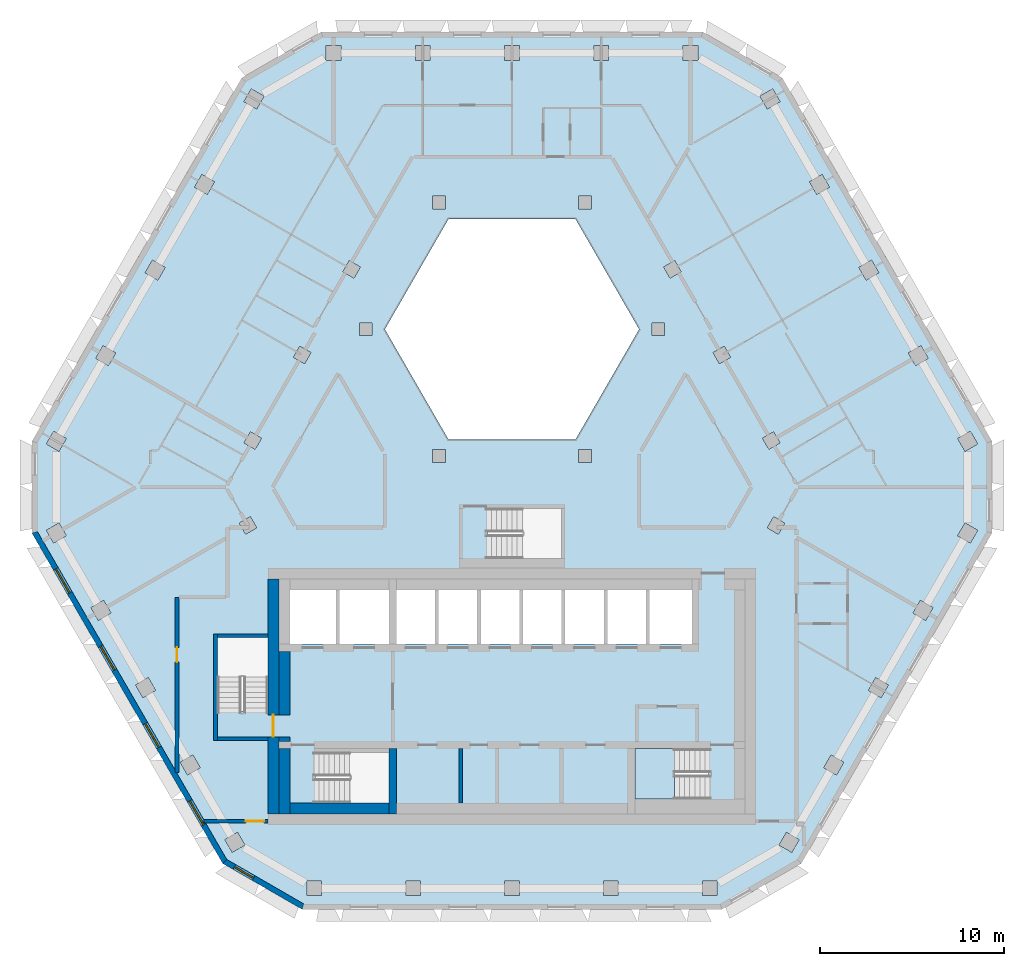
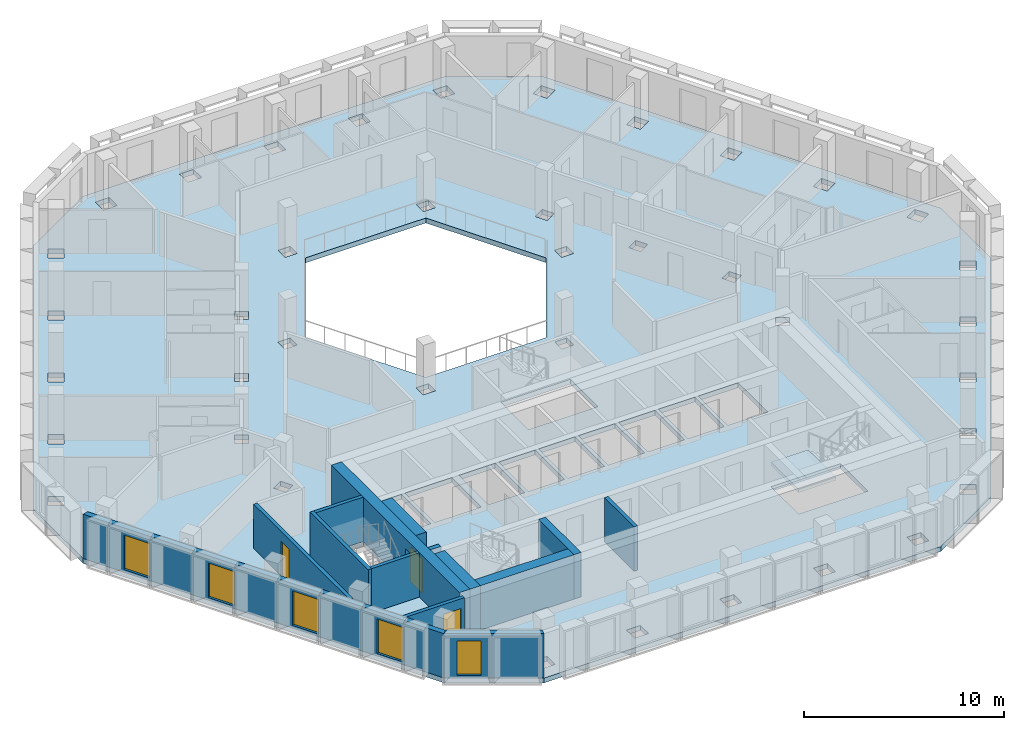
# One storey, part 2 of 15: 14 walls, 5 windows, 3 doors, 2 slabs, 8 openings, 1 element without a shape of its own.
"""IFC4 building model written with IfcOpenShell, lengths in metres."""

from ifc_helpers import new_model, si_unit, direction, frame, frame_2d, origin, place, context, subcontext, project, spatial, polyline, rectangle, outline, extrude, material, layer, layer_set, type_object, element, fill, aggregate, save


model = new_model("IFC4")

# Units and contexts
model_context = context("Model", 3, precision=1e-05, world=origin(), true_north=direction((0.0, 1.0)))
body_context = subcontext(model_context, "Body", "Model", "MODEL_VIEW")
ifc_project = project(units=[si_unit("LENGTHUNIT", "METRE"), si_unit("AREAUNIT", "SQUARE_METRE"), si_unit("VOLUMEUNIT", "CUBIC_METRE"), si_unit("PLANEANGLEUNIT", "RADIAN"), si_unit("MASSUNIT", "GRAM", prefix="KILO")], contexts=[model_context])

# Site, building, storey
site_placement = place(None, origin())
site = spatial("IfcSite", under=ifc_project, at=site_placement, CompositionType="ELEMENT")
building_placement = place(site_placement, origin())
building = spatial("IfcBuilding", under=site, at=building_placement, Name="Beryl Residences", CompositionType="ELEMENT")
storey_placement = place(building_placement, frame((0.0, 0.0, 193.199951171875)))
storey = spatial("IfcBuildingStorey", under=building, at=storey_placement, Name="L59", CompositionType="ELEMENT", Elevation=193.199951171875)

# Slab
ifc_material_1 = material(Name="Concrete C40/50", Category="concrete")
ifc_layer_1 = layer(ifc_material_1, 0.300048828125)
ifc_layer_set_1 = layer_set([ifc_layer_1], Name="SL7 PT floor slab 300 mm C40/50")
slab_type_1 = type_object("IfcSlabType", Name="SL7 PT floor slab 300 mm C40/50", PredefinedType="FLOOR", material=ifc_layer_set_1)
slab_1_placement = place(storey_placement, frame((0.0, 0.0, -0.300048828125)))
element("IfcSlab", 1, at=slab_1_placement, inside=storey, type_object=slab_type_1, Name="L59 slab 1", PredefinedType="FLOOR", context=body_context, shape_type="SweptSolid", body=[
    extrude(outline(polyline([(26.154052734375, -3.10009765625), (15.760986328125, -21.10009765625), (11.430908203125, -23.60009765625), (-11.430908203125, -23.60009765625), (-15.760986328125, -21.10009765625), (-26.154052734375, -3.10009765625), (-26.154052734375, 1.89990234375), (-14.721923828125, 21.699951171875), (-10.39208984375, 24.199951171875), (10.39208984375, 24.199951171875), (14.721923828125, 21.699951171875), (26.154052734375, 1.89990234375), (26.154052734375, -3.10009765625)]), holes=[polyline([(24.971923828125, 2.446044921875), (24.280029296875, 2.0458984375), (24.679931640625, 1.35400390625), (25.3720703125, 1.75390625), (24.971923828125, 2.446044921875)]), polyline([(24.678955078125, -2.554931640625), (24.279052734375, -3.2470703125), (24.970947265625, -3.64697265625), (25.37109375, -2.955078125), (24.678955078125, -2.554931640625)]), polyline([(22.2470703125, -6.76806640625), (21.846923828125, -7.4599609375), (22.5390625, -7.860107421875), (22.93896484375, -7.16796875), (22.2470703125, -6.76806640625)]), polyline([(22.280029296875, 7.10791015625), (21.587890625, 6.7080078125), (21.988037109375, 6.01611328125), (22.679931640625, 6.416015625), (22.280029296875, 7.10791015625)]), polyline([(19.4150390625, -11.672119140625), (20.10693359375, -12.072021484375), (20.507080078125, -11.3798828125), (19.81494140625, -10.97998046875), (19.4150390625, -11.672119140625)]), polyline([(18.89599609375, 11.37109375), (19.2958984375, 10.678955078125), (19.988037109375, 11.0791015625), (19.587890625, 11.77099609375), (18.89599609375, 11.37109375)]), polyline([(18.074951171875, -15.592041015625), (17.383056640625, -15.19189453125), (16.98291015625, -15.884033203125), (17.675048828125, -16.283935546875), (18.074951171875, -15.592041015625)]), polyline([(16.89599609375, 16.43408203125), (16.2041015625, 16.033935546875), (16.60400390625, 15.342041015625), (17.2958984375, 15.741943359375), (16.89599609375, 16.43408203125)]), polyline([(15.64306640625, -19.804931640625), (14.950927734375, -19.405029296875), (14.551025390625, -20.096923828125), (15.242919921875, -20.4970703125), (15.64306640625, -19.804931640625)]), polyline([(14.860107421875, -2.56103515625), (14.25390625, -2.2109375), (13.904052734375, -2.81689453125), (14.510009765625, -3.1669921875), (14.860107421875, -2.56103515625)]), polyline([(14.2041015625, 21.095947265625), (13.511962890625, 20.696044921875), (13.912109375, 20.00390625), (14.60400390625, 20.404052734375), (14.2041015625, 21.095947265625)]), polyline([(13.64501953125, 2.06494140625), (13.9951171875, 1.458984375), (14.60107421875, 1.80908203125), (14.2509765625, 2.4150390625), (13.64501953125, 2.06494140625)]), polyline([(11.55908203125, 7.077880859375), (10.952880859375, 6.72802734375), (11.302978515625, 6.1220703125), (11.908935546875, 6.471923828125), (11.55908203125, 7.077880859375)]), polyline([(11.1689453125, -22.050048828125), (10.368896484375, -22.050048828125), (10.368896484375, -22.85009765625), (11.1689453125, -22.85009765625), (11.1689453125, -22.050048828125)]), polyline([(6.699951171875, -14.85009765625), (6.699951171875, -17.60009765625), (10.699951171875, -17.60009765625), (10.699951171875, -14.85009765625), (6.699951171875, -14.85009765625)]), polyline([(9.327880859375, 23.449951171875), (9.327880859375, 22.64990234375), (10.1279296875, 22.64990234375), (10.1279296875, 23.449951171875), (9.327880859375, 23.449951171875)]), polyline([(7.5, -9.14990234375), (9.800048828125, -9.14990234375), (9.800048828125, -6.199951171875), (7.5, -6.199951171875), (7.5, -9.14990234375)]), polyline([(8.260986328125, 11.39111328125), (8.611083984375, 10.784912109375), (9.217041015625, 11.135009765625), (8.866943359375, 11.740966796875), (8.260986328125, 11.39111328125)]), polyline([(8.31689453125, 7.64990234375), (8.31689453125, 8.35009765625), (7.616943359375, 8.35009765625), (7.616943359375, 7.64990234375), (8.31689453125, 7.64990234375)]), polyline([(5.199951171875, -9.14990234375), (7.300048828125, -9.14990234375), (7.300048828125, -6.199951171875), (5.199951171875, -6.199951171875), (5.199951171875, -9.14990234375)]), polyline([(3.464111328125, 14.0), (-3.464111328125, 14.0), (-6.92822265625, 8.0), (-3.464111328125, 2.0), (3.464111328125, 2.0), (6.92822265625, 8.0), (3.464111328125, 14.0)]), polyline([(5.784912109375, -22.85009765625), (5.784912109375, -22.050048828125), (4.985107421875, -22.050048828125), (4.985107421875, -22.85009765625), (5.784912109375, -22.85009765625)]), polyline([(4.464111328125, 23.449951171875), (4.464111328125, 22.64990234375), (5.263916015625, 22.64990234375), (5.263916015625, 23.449951171875), (4.464111328125, 23.449951171875)]), polyline([(5.0, -9.14990234375), (5.0, -6.199951171875), (2.89990234375, -6.199951171875), (2.89990234375, -9.14990234375), (5.0, -9.14990234375)]), polyline([(4.333984375, 14.550048828125), (4.333984375, 15.25), (3.634033203125, 15.25), (3.634033203125, 14.550048828125), (4.333984375, 14.550048828125)]), polyline([(4.333984375, 1.449951171875), (3.634033203125, 1.449951171875), (3.634033203125, 0.75), (4.333984375, 0.75), (4.333984375, 1.449951171875)]), polyline([(2.699951171875, -4.5), (2.699951171875, -1.75), (-1.300048828125, -1.75), (-1.300048828125, -4.5), (2.699951171875, -4.5)]), polyline([(0.60009765625, -9.14990234375), (2.699951171875, -9.14990234375), (2.699951171875, -6.199951171875), (0.60009765625, -6.199951171875), (0.60009765625, -9.14990234375)]), polyline([(-0.39892578125, -22.050048828125), (-0.39892578125, -22.85009765625), (0.40087890625, -22.85009765625), (0.40087890625, -22.050048828125), (-0.39892578125, -22.050048828125)]), polyline([(0.39990234375, 22.64990234375), (0.39990234375, 23.449951171875), (-0.39990234375, 23.449951171875), (-0.39990234375, 22.64990234375), (0.39990234375, 22.64990234375)]), polyline([(0.39990234375, -6.199951171875), (-1.699951171875, -6.199951171875), (-1.699951171875, -9.14990234375), (0.39990234375, -9.14990234375), (0.39990234375, -6.199951171875)]), polyline([(-4.0, -9.14990234375), (-1.89990234375, -9.14990234375), (-1.89990234375, -6.199951171875), (-4.0, -6.199951171875), (-4.0, -9.14990234375)]), polyline([(-3.634033203125, 15.25), (-4.333984375, 15.25), (-4.333984375, 14.550048828125), (-3.634033203125, 14.550048828125), (-3.634033203125, 15.25)]), polyline([(-3.634033203125, 0.75), (-3.634033203125, 1.449951171875), (-4.333984375, 1.449951171875), (-4.333984375, 0.75), (-3.634033203125, 0.75)]), polyline([(-6.300048828125, -9.14990234375), (-4.199951171875, -9.14990234375), (-4.199951171875, -6.199951171875), (-6.300048828125, -6.199951171875), (-6.300048828125, -9.14990234375)]), polyline([(-5.263916015625, 23.449951171875), (-5.263916015625, 22.64990234375), (-4.464111328125, 22.64990234375), (-4.464111328125, 23.449951171875), (-5.263916015625, 23.449951171875)]), polyline([(-4.98291015625, -22.85009765625), (-4.98291015625, -22.050048828125), (-5.782958984375, -22.050048828125), (-5.782958984375, -22.85009765625), (-4.98291015625, -22.85009765625)]), polyline([(-6.699951171875, -6.199951171875), (-9.39990234375, -6.199951171875), (-9.39990234375, -9.14990234375), (-6.699951171875, -9.14990234375), (-6.699951171875, -6.199951171875)]), polyline([(-10.699951171875, -15.050048828125), (-10.699951171875, -17.800048828125), (-6.699951171875, -17.800048828125), (-6.699951171875, -15.050048828125), (-10.699951171875, -15.050048828125)]), polyline([(-7.616943359375, 7.64990234375), (-7.616943359375, 8.35009765625), (-8.31689453125, 8.35009765625), (-8.31689453125, 7.64990234375), (-7.616943359375, 7.64990234375)]), polyline([(-8.611083984375, 10.784912109375), (-8.260986328125, 11.39111328125), (-8.866943359375, 11.740966796875), (-9.217041015625, 11.135009765625), (-8.611083984375, 10.784912109375)]), polyline([(-10.1279296875, 23.449951171875), (-10.1279296875, 22.64990234375), (-9.327880859375, 22.64990234375), (-9.327880859375, 23.449951171875), (-10.1279296875, 23.449951171875)]), polyline([(-12.10009765625, -9.14990234375), (-9.60009765625, -9.14990234375), (-9.60009765625, -6.199951171875), (-12.10009765625, -6.199951171875), (-12.10009765625, -9.14990234375)]), polyline([(-11.1669921875, -22.050048828125), (-11.1669921875, -22.85009765625), (-10.366943359375, -22.85009765625), (-10.366943359375, -22.050048828125), (-11.1669921875, -22.050048828125)]), polyline([(-11.908935546875, 6.471923828125), (-11.302978515625, 6.1220703125), (-10.952880859375, 6.72802734375), (-11.55908203125, 7.077880859375), (-11.908935546875, 6.471923828125)]), polyline([(-13.300048828125, -8.800048828125), (-16.050048828125, -8.800048828125), (-16.050048828125, -12.800048828125), (-13.300048828125, -12.800048828125), (-13.300048828125, -8.800048828125)]), polyline([(-13.912109375, 20.00390625), (-13.511962890625, 20.696044921875), (-14.2041015625, 21.095947265625), (-14.60400390625, 20.404052734375), (-13.912109375, 20.00390625)]), polyline([(-13.9951171875, 1.458984375), (-13.64501953125, 2.06494140625), (-14.2509765625, 2.4150390625), (-14.60107421875, 1.80908203125), (-13.9951171875, 1.458984375)]), polyline([(-14.510986328125, -3.1650390625), (-13.905029296875, -2.81494140625), (-14.2548828125, -2.208984375), (-14.861083984375, -2.55908203125), (-14.510986328125, -3.1650390625)]), polyline([(-14.552001953125, -20.094970703125), (-14.951904296875, -19.403076171875), (-15.64404296875, -19.802978515625), (-15.243896484375, -20.4951171875), (-14.552001953125, -20.094970703125)]), polyline([(-16.60400390625, 15.342041015625), (-16.2041015625, 16.033935546875), (-16.89599609375, 16.43408203125), (-17.2958984375, 15.741943359375), (-16.60400390625, 15.342041015625)]), polyline([(-16.98388671875, -15.882080078125), (-17.384033203125, -15.18994140625), (-18.075927734375, -15.590087890625), (-17.676025390625, -16.281982421875), (-16.98388671875, -15.882080078125)]), polyline([(-18.89599609375, 11.37109375), (-19.587890625, 11.77099609375), (-19.988037109375, 11.0791015625), (-19.2958984375, 10.678955078125), (-18.89599609375, 11.37109375)]), polyline([(-20.10791015625, -12.070068359375), (-19.416015625, -11.669921875), (-19.81591796875, -10.97802734375), (-20.508056640625, -11.3779296875), (-20.10791015625, -12.070068359375)]), polyline([(-22.679931640625, 6.416015625), (-21.988037109375, 6.01611328125), (-21.587890625, 6.7080078125), (-22.280029296875, 7.10791015625), (-22.679931640625, 6.416015625)]), polyline([(-21.847900390625, -7.4580078125), (-22.248046875, -6.76611328125), (-22.93994140625, -7.166015625), (-22.5400390625, -7.85791015625), (-21.847900390625, -7.4580078125)]), polyline([(-25.3720703125, 1.75390625), (-24.679931640625, 1.35400390625), (-24.280029296875, 2.0458984375), (-24.971923828125, 2.446044921875), (-25.3720703125, 1.75390625)]), polyline([(-24.280029296875, -3.2451171875), (-24.679931640625, -2.552978515625), (-25.3720703125, -2.952880859375), (-24.971923828125, -3.64501953125), (-24.280029296875, -3.2451171875)])]), origin(), (0.0, 0.0, 1.0), 0.300048828125),
])

# Stair, slab
ifc_material_2 = material(Name="Concrete C40/50", Category="concrete")
stair_type = type_object("IfcStairType", Name="ST1 protected exit stair, half-turn, 1300 mm flights", PredefinedType="HALF_TURN_STAIR", material=ifc_material_2)
stair_placement = place(storey_placement, origin())
stair = element("IfcStair", 2, at=stair_placement, inside=storey, type_object=stair_type, Name="L59 PROTECTED EXIT STAIR ST-3", PredefinedType="HALF_TURN_STAIR")
ifc_material_3 = material(Name="Concrete C40/50", Category="concrete")
ifc_layer_2 = layer(ifc_material_3, 0.199951171875)
ifc_layer_set_2 = layer_set([ifc_layer_2], Name="SLD1 stair landing 200 mm")
slab_type_2 = type_object("IfcSlabType", Name="SLD1 stair landing 200 mm", PredefinedType="LANDING", material=ifc_layer_set_2)
slab_2_placement = place(storey_placement, frame((0.0, 0.0, 1.300048828125)))
slab_2 = element("IfcSlab", 3, at=slab_2_placement, type_object=slab_type_2, Name="ST-3 landing 1", PredefinedType="LANDING", context=body_context, shape_type="SweptSolid", body=[
    extrude(outline(polyline([(8.840087890625, -14.85009765625), (6.699951171875, -14.85009765625), (6.699951171875, -17.60009765625), (8.840087890625, -17.60009765625), (8.840087890625, -14.85009765625)])), origin(), (0.0, 0.0, 1.0), 0.199951171875),
])
aggregate(stair, [slab_2])

# Wall, openings, windows
ifc_material_4 = material(Name="Composite metal panel with mineral wool insulation")
ifc_layer_3 = layer(ifc_material_4, 0.300048828125)
ifc_layer_set_3 = layer_set([ifc_layer_3], Name="ES1 pale metal composite panel wall 300 mm")
wall_type_1 = type_object("IfcWallType", Name="ES1 pale metal composite panel wall 300 mm", PredefinedType="SOLIDWALL", material=ifc_layer_set_3)
wall_1_placement = place(storey_placement, frame((-26.02392578125, -3.02490234375, 0.0), z_axis=(0.0, 0.0, 1.0), x_axis=(0.500018670445, -0.86601462413, 0.0)))
wall_1 = element("IfcWall", 4, at=wall_1_placement, inside=storey, type_object=wall_type_1, Name="ES1 external wall L59 SW", PredefinedType="SOLIDWALL", context=body_context, shape_type="SweptSolid", body=[
    extrude(outline(polyline([(0.0, -0.14990234375), (20.784912109375, -0.14990234375), (20.70458984375, 0.14990234375), (0.080322265625, 0.14990234375), (0.0, -0.14990234375)])), origin(), (0.0, 0.0, 1.0), 2.699951171875),
])
opening_1_placement = place(wall_1_placement, frame((2.345947265625, 0.0, 0.14990234375)))
opening_1 = element("IfcOpeningElement", 5, at=opening_1_placement, cuts=wall_1, Name="Opening W1", PredefinedType="OPENING", context=body_context, shape_type="SweptSolid", body=[
    extrude(rectangle(XDim=1.5, YDim=2.10009765625, at=frame_2d((0.75, 1.050048828125))), frame((0.0, 0.159912109375, 0.0), z_axis=(0.0, -1.0, 0.0), x_axis=(1.0, 0.0, 0.0)), (0.0, 0.0, 1.0), 0.320068359375),
])
opening_2_placement = place(wall_1_placement, frame((7.2099609375, 0.0, 0.14990234375)))
opening_2 = element("IfcOpeningElement", 6, at=opening_2_placement, cuts=wall_1, Name="Opening W1", PredefinedType="OPENING", context=body_context, shape_type="SweptSolid", body=[
    extrude(rectangle(XDim=1.5, YDim=2.10009765625, at=frame_2d((0.75, 1.050048828125))), frame((0.0, 0.159912109375, 0.0), z_axis=(0.0, -1.0, 0.0), x_axis=(1.0, 0.0, 0.0)), (0.0, 0.0, 1.0), 0.320068359375),
])
opening_3_placement = place(wall_1_placement, frame((12.072998046875, 0.0, 0.14990234375)))
opening_3 = element("IfcOpeningElement", 7, at=opening_3_placement, cuts=wall_1, Name="Opening W1", PredefinedType="OPENING", context=body_context, shape_type="SweptSolid", body=[
    extrude(rectangle(XDim=1.5, YDim=2.10009765625, at=frame_2d((0.75, 1.050048828125))), frame((0.0, 0.159912109375, 0.0), z_axis=(0.0, -1.0, 0.0), x_axis=(1.0, 0.0, 0.0)), (0.0, 0.0, 1.0), 0.320068359375),
])
opening_4_placement = place(wall_1_placement, frame((16.93798828125, 0.0, 0.14990234375)))
opening_4 = element("IfcOpeningElement", 8, at=opening_4_placement, cuts=wall_1, Name="Opening W1", PredefinedType="OPENING", context=body_context, shape_type="SweptSolid", body=[
    extrude(rectangle(XDim=1.5, YDim=2.10009765625, at=frame_2d((0.75, 1.050048828125))), frame((0.0, 0.159912109375, 0.0), z_axis=(0.0, -1.0, 0.0), x_axis=(1.0, 0.0, 0.0)), (0.0, 0.0, 1.0), 0.320068359375),
])
ifc_material_5 = material(Name="Aluminium and clear glass", Category="aluminium")
window_type_1 = type_object("IfcWindowType", Name="W1 cell window 1500 x 2100 mm", PartitioningType="SINGLE_PANEL", PredefinedType="WINDOW", material=ifc_material_5)
window_1_placement = place(opening_1_placement, origin())
window_1 = element("IfcWindow", 9, at=window_1_placement, inside=storey, type_object=window_type_1, Name="W1 window L59 SW 2", OverallHeight=2.10009765625, OverallWidth=1.5, PartitioningType="SINGLE_PANEL", PredefinedType="WINDOW", context=body_context, shape_type="SweptSolid", body=[
    extrude(rectangle(XDim=1.5, YDim=2.10009765625, at=frame_2d((0.75, 1.050048828125))), frame((0.0, 0.030029296875, 0.0), z_axis=(0.0, -1.0, 0.0), x_axis=(1.0, 0.0, 0.0)), (0.0, 0.0, 1.0), 0.06005859375),
])
fill(opening_1, window_1)
window_2_placement = place(opening_2_placement, origin())
window_2 = element("IfcWindow", 10, at=window_2_placement, inside=storey, type_object=window_type_1, Name="W1 window L59 SW 4", OverallHeight=2.10009765625, OverallWidth=1.5, PartitioningType="SINGLE_PANEL", PredefinedType="WINDOW", context=body_context, shape_type="SweptSolid", body=[
    extrude(rectangle(XDim=1.5, YDim=2.10009765625, at=frame_2d((0.75, 1.050048828125))), frame((0.0, 0.030029296875, 0.0), z_axis=(0.0, -1.0, 0.0), x_axis=(1.0, 0.0, 0.0)), (0.0, 0.0, 1.0), 0.06005859375),
])
fill(opening_2, window_2)
window_3_placement = place(opening_3_placement, origin())
window_3 = element("IfcWindow", 11, at=window_3_placement, inside=storey, type_object=window_type_1, Name="W1 window L59 SW 6", OverallHeight=2.10009765625, OverallWidth=1.5, PartitioningType="SINGLE_PANEL", PredefinedType="WINDOW", context=body_context, shape_type="SweptSolid", body=[
    extrude(rectangle(XDim=1.5, YDim=2.10009765625, at=frame_2d((0.75, 1.050048828125))), frame((0.0, 0.030029296875, 0.0), z_axis=(0.0, -1.0, 0.0), x_axis=(1.0, 0.0, 0.0)), (0.0, 0.0, 1.0), 0.06005859375),
])
fill(opening_3, window_3)
window_4_placement = place(opening_4_placement, origin())
window_4 = element("IfcWindow", 12, at=window_4_placement, inside=storey, type_object=window_type_1, Name="W1 window L59 SW 8", OverallHeight=2.10009765625, OverallWidth=1.5, PartitioningType="SINGLE_PANEL", PredefinedType="WINDOW", context=body_context, shape_type="SweptSolid", body=[
    extrude(rectangle(XDim=1.5, YDim=2.10009765625, at=frame_2d((0.75, 1.050048828125))), frame((0.0, 0.030029296875, 0.0), z_axis=(0.0, -1.0, 0.0), x_axis=(1.0, 0.0, 0.0)), (0.0, 0.0, 1.0), 0.06005859375),
])
fill(opening_4, window_4)

# Wall, opening, window
wall_2_placement = place(storey_placement, frame((-15.68603515625, -20.969970703125, 0.0), z_axis=(0.0, 0.0, 1.0), x_axis=(0.866022959057, -0.500004234368, 0.0)))
wall_2 = element("IfcWall", 13, at=wall_2_placement, inside=storey, type_object=wall_type_1, Name="ES1 external wall L59 SW-S", PredefinedType="SOLIDWALL", context=body_context, shape_type="SweptSolid", body=[
    extrude(outline(polyline([(0.0, -0.14990234375), (5.0, -0.14990234375), (4.919677734375, 0.14990234375), (0.080322265625, 0.14990234375), (0.0, -0.14990234375)])), origin(), (0.0, 0.0, 1.0), 2.699951171875),
])
opening_5_placement = place(wall_2_placement, frame((0.64990234375, 0.0, 0.14990234375)))
opening_5 = element("IfcOpeningElement", 14, at=opening_5_placement, cuts=wall_2, Name="Opening W2", PredefinedType="OPENING", context=body_context, shape_type="SweptSolid", body=[
    extrude(rectangle(XDim=1.199951171875, YDim=2.10009765625, at=frame_2d((0.60009765625, 1.050048828125))), frame((0.0, 0.159912109375, 0.0), z_axis=(0.0, -1.0, 0.0), x_axis=(1.0, 0.0, 0.0)), (0.0, 0.0, 1.0), 0.320068359375),
])
ifc_material_6 = material(Name="Aluminium and clear glass", Category="aluminium")
window_type_2 = type_object("IfcWindowType", Name="W2 chamfer window 1200 x 2100 mm", PartitioningType="SINGLE_PANEL", PredefinedType="WINDOW", material=ifc_material_6)
window_5_placement = place(opening_5_placement, origin())
window_5 = element("IfcWindow", 15, at=window_5_placement, inside=storey, type_object=window_type_2, Name="W2 window L59 SW-S 1", OverallHeight=2.10009765625, OverallWidth=1.199951171875, PartitioningType="SINGLE_PANEL", PredefinedType="WINDOW", context=body_context, shape_type="SweptSolid", body=[
    extrude(rectangle(XDim=1.199951171875, YDim=2.10009765625, at=frame_2d((0.60009765625, 1.050048828125))), frame((0.0, 0.030029296875, 0.0), z_axis=(0.0, -1.0, 0.0), x_axis=(1.0, 0.0, 0.0)), (0.0, 0.0, 1.0), 0.06005859375),
])
fill(opening_5, window_5)

# Walls
ifc_material_7 = material(Name="Concrete masonry", Category="masonry")
ifc_layer_4 = layer(ifc_material_7, 0.25)
ifc_layer_set_4 = layer_set([ifc_layer_4], Name="PT13-250 lobby wall 250 mm")
wall_type_2 = type_object("IfcWallType", Name="PT13-250 lobby wall 250 mm", PredefinedType="PARTITIONING", material=ifc_layer_set_4)
wall_3_placement = place(storey_placement, frame((-12.699951171875, -14.324951171875, 0.0), z_axis=(0.0, 0.0, 1.0), x_axis=(1.0, 0.0, 0.0)))
element("IfcWall", 16, at=wall_3_placement, inside=storey, type_object=wall_type_2, Name="Lobby wall 05", PredefinedType="PARTITIONING", context=body_context, shape_type="SweptSolid", body=[
    extrude(rectangle(XDim=0.599853515625, YDim=0.25, at=frame_2d((0.2998046875, 0.0))), origin(), (0.0, 0.0, 1.0), 2.699951171875),
])
ifc_material_8 = material(Name="Concrete masonry", Category="masonry")
ifc_layer_5 = layer(ifc_material_8, 0.60009765625)
ifc_layer_set_5 = layer_set([ifc_layer_5], Name="PT13-600 lobby wall 600 mm")
wall_type_3 = type_object("IfcWallType", Name="PT13-600 lobby wall 600 mm", PredefinedType="PARTITIONING", material=ifc_layer_set_5)
wall_4_placement = place(storey_placement, frame((-12.39990234375, -13.0, 0.0), z_axis=(0.0, 0.0, 1.0), x_axis=(0.0, 1.0, 0.0)))
element("IfcWall", 17, at=wall_4_placement, inside=storey, type_object=wall_type_3, Name="Lobby wall 06", PredefinedType="PARTITIONING", context=body_context, shape_type="SweptSolid", body=[
    extrude(rectangle(XDim=3.449951171875, YDim=0.60009765625, at=frame_2d((1.72509765625, 0.0))), origin(), (0.0, 0.0, 1.0), 2.699951171875),
])

# Wall, opening, door
ifc_material_9 = material(Name="Double stud gypsum board wall")
ifc_layer_6 = layer(ifc_material_9, 0.199951171875)
ifc_layer_set_6 = layer_set([ifc_layer_6], Name="PT4 corridor wall 200 mm double stud")
wall_type_4 = type_object("IfcWallType", Name="PT4 corridor wall 200 mm double stud", PredefinedType="PARTITIONING", material=ifc_layer_set_6)
wall_5_placement = place(storey_placement, frame((-18.25, -16.152099609375, 0.0), z_axis=(0.0, 0.0, 1.0), x_axis=(0.0, 1.0, 0.0)))
wall_5 = element("IfcWall", 18, at=wall_5_placement, inside=storey, type_object=wall_type_4, Name="Wall PT4 L59 025", PredefinedType="PARTITIONING", context=body_context, shape_type="SweptSolid", body=[
    extrude(rectangle(XDim=9.551025390625, YDim=0.199951171875, at=frame_2d((4.775390625, 0.0))), origin(), (0.0, 0.0, 1.0), 2.699951171875),
])
opening_6_placement = place(wall_5_placement, frame((6.02587890625, 0.0, 0.0)))
opening_6 = element("IfcOpeningElement", 19, at=opening_6_placement, cuts=wall_5, Name="Opening D1731", PredefinedType="OPENING", context=body_context, shape_type="SweptSolid", body=[
    extrude(rectangle(XDim=0.800048828125, YDim=2.10009765625, at=frame_2d((0.39990234375, 1.050048828125))), frame((0.0, 0.10986328125, 0.0), z_axis=(0.0, -1.0, 0.0), x_axis=(1.0, 0.0, 0.0)), (0.0, 0.0, 1.0), 0.219970703125),
])
ifc_material_10 = material(Name="Timber door leaf", Category="wood")
door_type_1 = type_object("IfcDoorType", Name="D3 bathroom door 800 x 2100 mm", OperationType="SINGLE_SWING_LEFT", PredefinedType="DOOR", material=ifc_material_10)
door_1_placement = place(opening_6_placement, origin())
door_1 = element("IfcDoor", 20, at=door_1_placement, inside=storey, type_object=door_type_1, Name="Door D1731 L59 001", OperationType="SINGLE_SWING_LEFT", OverallHeight=2.10009765625, OverallWidth=0.800048828125, PredefinedType="DOOR", context=body_context, shape_type="SweptSolid", body=[
    extrude(rectangle(XDim=0.800048828125, YDim=2.10009765625, at=frame_2d((0.39990234375, 1.050048828125))), frame((0.0, 0.02490234375, 0.0), z_axis=(0.0, -1.0, 0.0), x_axis=(1.0, 0.0, 0.0)), (0.0, 0.0, 1.0), 0.050048828125),
])
fill(opening_6, door_1)

wall_6_placement = place(storey_placement, frame((-16.7919921875, -18.800048828125, 0.0), z_axis=(0.0, 0.0, 1.0), x_axis=(1.0, 0.0, 0.0)))
wall_6 = element("IfcWall", 21, at=wall_6_placement, inside=storey, type_object=wall_type_4, Name="Wall PT4 L59 026", PredefinedType="PARTITIONING", context=body_context, shape_type="SweptSolid", body=[
    extrude(rectangle(XDim=3.491943359375, YDim=0.199951171875, at=frame_2d((1.74609375, 0.0))), origin(), (0.0, 0.0, 1.0), 2.699951171875),
])
opening_7_placement = place(wall_6_placement, frame((2.2919921875, 0.0, 0.0)))
opening_7 = element("IfcOpeningElement", 22, at=opening_7_placement, cuts=wall_6, Name="Opening D1745", PredefinedType="OPENING", context=body_context, shape_type="SweptSolid", body=[
    extrude(rectangle(XDim=1.0, YDim=2.10009765625, at=frame_2d((0.5, 1.050048828125))), frame((0.0, 0.10986328125, 0.0), z_axis=(0.0, -1.0, 0.0), x_axis=(1.0, 0.0, 0.0)), (0.0, 0.0, 1.0), 0.219970703125),
])
ifc_material_11 = material(Name="Timber door leaf", Category="wood")
door_type_2 = type_object("IfcDoorType", Name="D1 flat entrance door 1000 x 2100 mm", OperationType="SINGLE_SWING_LEFT", PredefinedType="DOOR", material=ifc_material_11)
door_2_placement = place(opening_7_placement, origin())
door_2 = element("IfcDoor", 23, at=door_2_placement, inside=storey, type_object=door_type_2, Name="Door D1745 L59 001", OperationType="SINGLE_SWING_RIGHT", OverallHeight=2.10009765625, OverallWidth=1.0, PredefinedType="DOOR", context=body_context, shape_type="SweptSolid", body=[
    extrude(rectangle(XDim=1.0, YDim=2.10009765625, at=frame_2d((0.5, 1.050048828125))), frame((0.0, 0.02490234375, 0.0), z_axis=(0.0, -1.0, 0.0), x_axis=(1.0, 0.0, 0.0)), (0.0, 0.0, 1.0), 0.050048828125),
])
fill(opening_7, door_2)

# Walls
ifc_material_12 = material(Name="Concrete C40/50", Category="concrete")
ifc_layer_7 = layer(ifc_material_12, 0.199951171875)
ifc_layer_set_7 = layer_set([ifc_layer_7], Name="PT5 stair enclosure wall 200 mm reinforced concrete C40/50")
wall_type_5 = type_object("IfcWallType", Name="PT5 stair enclosure wall 200 mm reinforced concrete C40/50", PredefinedType="SOLIDWALL", material=ifc_layer_set_7)
wall_7_placement = place(storey_placement, frame((-16.14990234375, -14.39990234375, 0.0), z_axis=(0.0, 0.0, 1.0), x_axis=(0.0, 1.0, 0.0)))
element("IfcWall", 24, at=wall_7_placement, inside=storey, type_object=wall_type_5, Name="Stair wall 01", PredefinedType="SOLIDWALL", context=body_context, shape_type="SweptSolid", body=[
    extrude(rectangle(XDim=5.7998046875, YDim=0.199951171875, at=frame_2d((2.89990234375, 0.0))), origin(), (0.0, 0.0, 1.0), 2.699951171875),
])
for number, where, z_axis, x_axis, name in (
    (25, (-16.050048828125, -14.300048828125, 0.0), (0.0, 0.0, 1.0), (1.0, 0.0, 0.0), "Stair wall 02"),
    (26, (-16.050048828125, -8.699951171875, 0.0), (0.0, 0.0, 1.0), (1.0, 0.0, 0.0), "Stair wall 03"),
):
    element("IfcWall", number, at=place(storey_placement, frame(where, z_axis=z_axis, x_axis=x_axis)), inside=storey, type_object=wall_type_5, Name=name, PredefinedType="SOLIDWALL", context=body_context, shape_type="SweptSolid", body=[
        extrude(rectangle(XDim=2.75, YDim=0.199951171875, at=frame_2d((1.375, 0.0))), origin(), (0.0, 0.0, 1.0), 2.699951171875),
    ])
ifc_material_13 = material(Name="Concrete C40/50", Category="concrete")
ifc_layer_8 = layer(ifc_material_13, 0.60009765625)
ifc_layer_set_8 = layer_set([ifc_layer_8], Name="PT5-600 stair enclosure wall 600 mm")
wall_type_6 = type_object("IfcWallType", Name="PT5-600 stair enclosure wall 600 mm", PredefinedType="SOLIDWALL", material=ifc_layer_set_8)
wall_8_placement = place(storey_placement, frame((-12.39990234375, -18.39990234375, 0.0), z_axis=(0.0, 0.0, 1.0), x_axis=(0.0, 1.0, 0.0)))
element("IfcWall", 27, at=wall_8_placement, inside=storey, type_object=wall_type_6, Name="Stair wall 04", PredefinedType="SOLIDWALL", context=body_context, shape_type="SweptSolid", body=[
    extrude(rectangle(XDim=3.5498046875, YDim=0.60009765625, at=frame_2d((1.77490234375, 0.0))), origin(), (0.0, 0.0, 1.0), 2.699951171875),
])
wall_9_placement = place(storey_placement, frame((-12.10009765625, -18.10009765625, 0.0), z_axis=(0.0, 0.0, 1.0), x_axis=(1.0, 0.0, 0.0)))
element("IfcWall", 28, at=wall_9_placement, inside=storey, type_object=wall_type_6, Name="Stair wall 08", PredefinedType="SOLIDWALL", context=body_context, shape_type="SweptSolid", body=[
    extrude(rectangle(XDim=5.400146484375, YDim=0.60009765625, at=frame_2d((2.7001953125, 0.0))), origin(), (0.0, 0.0, 1.0), 2.699951171875),
])
ifc_material_14 = material(Name="Concrete masonry", Category="masonry")
ifc_layer_9 = layer(ifc_material_14, 0.199951171875)
ifc_layer_set_9 = layer_set([ifc_layer_9], Name="PT8-200 service room wall 200 mm")
wall_type_7 = type_object("IfcWallType", Name="PT8-200 service room wall 200 mm", PredefinedType="PARTITIONING", material=ifc_layer_set_9)
wall_10_placement = place(storey_placement, frame((-2.800048828125, -17.800048828125, 0.0), z_axis=(0.0, 0.0, 1.0), x_axis=(0.0, 1.0, 0.0)))
element("IfcWall", 29, at=wall_10_placement, inside=storey, type_object=wall_type_7, Name="Core room wall 16", PredefinedType="PARTITIONING", context=body_context, shape_type="SweptSolid", body=[
    extrude(rectangle(XDim=2.949951171875, YDim=0.199951171875, at=frame_2d((1.47509765625, 0.0))), origin(), (0.0, 0.0, 1.0), 2.699951171875),
])

# Wall, opening, door
ifc_material_15 = material(Name="Concrete C50/60", Category="concrete")
ifc_layer_10 = layer(ifc_material_15, 0.60009765625)
ifc_layer_set_10 = layer_set([ifc_layer_10], Name="SW4 core outer wall 600 mm C50/60")
wall_type_8 = type_object("IfcWallType", Name="SW4 core outer wall 600 mm C50/60", PredefinedType="SHEAR", material=ifc_layer_set_10)
wall_11_placement = place(storey_placement, frame((-13.0, -18.39990234375, 0.0), z_axis=(0.0, 0.0, 1.0), x_axis=(0.0, 1.0, 0.0)))
wall_11 = element("IfcWall", 30, at=wall_11_placement, inside=storey, type_object=wall_type_8, Name="Core wall W L59", PredefinedType="SHEAR", context=body_context, shape_type="SweptSolid", body=[
    extrude(rectangle(XDim=12.7998046875, YDim=0.60009765625, at=frame_2d((6.39990234375, 0.0))), origin(), (0.0, 0.0, 1.0), 2.699951171875),
])
opening_8_placement = place(wall_11_placement, frame((4.199951171875, 0.0, 0.0)))
opening_8 = element("IfcOpeningElement", 31, at=opening_8_placement, cuts=wall_11, Name="Opening SD-2", PredefinedType="OPENING", context=body_context, shape_type="SweptSolid", body=[
    extrude(rectangle(XDim=1.199951171875, YDim=2.10009765625, at=frame_2d((0.60009765625, 1.050048828125))), frame((0.0, 0.31005859375, 0.0), z_axis=(0.0, -1.0, 0.0), x_axis=(1.0, 0.0, 0.0)), (0.0, 0.0, 1.0), 0.6201171875),
])
ifc_material_16 = material(Name="Steel door leaf in steel frame", Category="steel")
door_type_3 = type_object("IfcDoorType", Name="D4 stair door 1200 x 2100 mm", OperationType="SINGLE_SWING_LEFT", PredefinedType="DOOR", material=ifc_material_16)
door_3_placement = place(opening_8_placement, origin())
door_3 = element("IfcDoor", 32, at=door_3_placement, inside=storey, type_object=door_type_3, Name="Door SD-2 L59 001", OperationType="SINGLE_SWING_RIGHT", OverallHeight=2.10009765625, OverallWidth=1.199951171875, PredefinedType="DOOR", context=body_context, shape_type="SweptSolid", body=[
    extrude(rectangle(XDim=1.199951171875, YDim=2.10009765625, at=frame_2d((0.60009765625, 1.050048828125))), frame((0.0, 0.02490234375, 0.0), z_axis=(0.0, -1.0, 0.0), x_axis=(1.0, 0.0, 0.0)), (0.0, 0.0, 1.0), 0.050048828125),
])
fill(opening_8, door_3)

# Wall
ifc_material_17 = material(Name="Concrete C50/60", Category="concrete")
ifc_layer_11 = layer(ifc_material_17, 0.39990234375)
ifc_layer_set_11 = layer_set([ifc_layer_11], Name="SW9 core internal wall 400 mm C50/60")
wall_type_9 = type_object("IfcWallType", Name="SW9 core internal wall 400 mm C50/60", PredefinedType="SHEAR", material=ifc_layer_set_11)
wall_12_placement = place(storey_placement, frame((-6.5, -18.39990234375, 0.0), z_axis=(0.0, 0.0, 1.0), x_axis=(0.0, 1.0, 0.0)))
element("IfcWall", 33, at=wall_12_placement, inside=storey, type_object=wall_type_9, Name="Core wall XS1 L59", PredefinedType="SHEAR", context=body_context, shape_type="SweptSolid", body=[
    extrude(rectangle(XDim=3.5498046875, YDim=0.39990234375, at=frame_2d((1.77490234375, 0.0))), origin(), (0.0, 0.0, 1.0), 2.699951171875),
])

save(model, "model.ifc")
